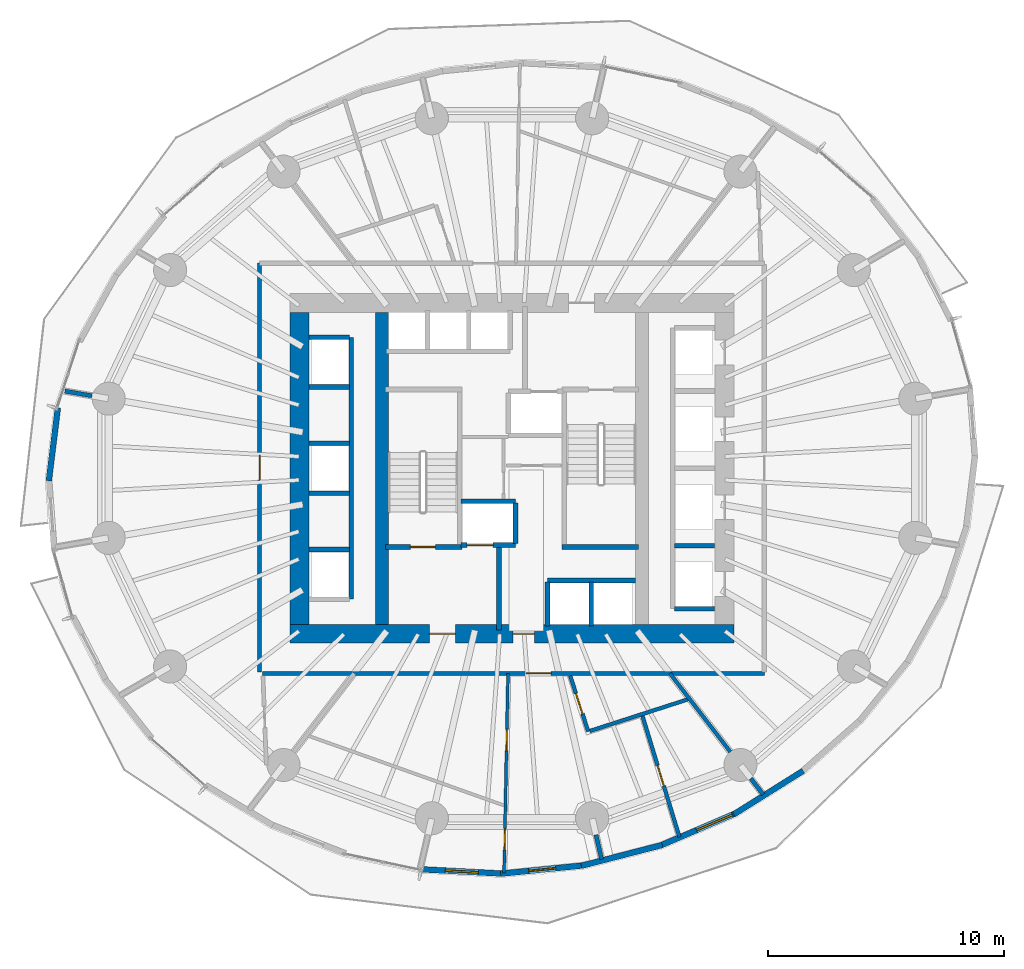
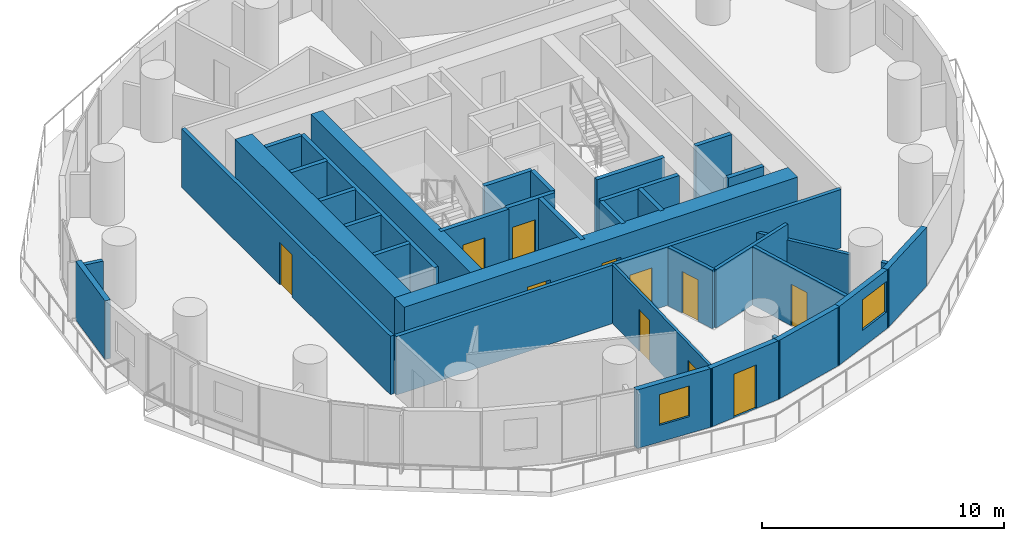
# One storey, part 7 of 14: 36 walls, 11 doors, 2 windows, 13 openings.
"""IFC4 building model written with IfcOpenShell, lengths in metres."""

from ifc_helpers import new_model, si_unit, direction, frame, frame_2d, origin, place, context, subcontext, project, spatial, rectangle, extrude, material, layer, layer_set, type_object, element, fill, save


model = new_model("IFC4")

# Units and contexts
model_context = context("Model", 3, precision=1e-05, world=origin(), true_north=direction((0.0, 1.0)))
body_context = subcontext(model_context, "Body", "Model", "MODEL_VIEW")
ifc_project = project(units=[si_unit("LENGTHUNIT", "METRE"), si_unit("AREAUNIT", "SQUARE_METRE"), si_unit("VOLUMEUNIT", "CUBIC_METRE"), si_unit("PLANEANGLEUNIT", "RADIAN"), si_unit("MASSUNIT", "GRAM", prefix="KILO")], contexts=[model_context])

# Site, building, storey
site_placement = place(None, origin())
site = spatial("IfcSite", under=ifc_project, at=site_placement, CompositionType="ELEMENT")
building_placement = place(site_placement, origin())
building = spatial("IfcBuilding", under=site, at=building_placement, Name="Veldorim Arch Residences", CompositionType="ELEMENT")
storey_placement = place(building_placement, frame((0.0, 0.0, 50.39990234375)))
storey = spatial("IfcBuildingStorey", under=building, at=storey_placement, Name="L14", CompositionType="ELEMENT", Elevation=50.39990234375)

# Wall, openings, doors
ifc_material_1 = material(Name="Acoustic Gypsum Board", Category="gypsum")
ifc_layer_1 = layer(ifc_material_1, 0.125, Name="Acoustic Stud Room Partition Wall 125")
ifc_layer_set_1 = layer_set([ifc_layer_1], Name="Acoustic Gypsum Board")
wall_type_1 = type_object("IfcWallType", Name="Acoustic Stud Room Partition Wall 125", PredefinedType="PARTITIONING", material=ifc_layer_set_1)
wall_1_placement = place(storey_placement, frame((31.665283203125, 6.870361328125, 0.0), z_axis=(0.0, 0.0, 1.0), x_axis=(0.019528202577, 0.99980930647, 0.0)))
wall_1 = element("IfcWall", 1, at=wall_1_placement, inside=storey, type_object=wall_type_1, Name="L14 interior wall WL-RES-L14-008", PredefinedType="PARTITIONING", context=body_context, shape_type="SweptSolid", body=[
    extrude(rectangle(XDim=8.451416015625, YDim=0.125, at=frame_2d((4.2255859375, 0.0))), origin(), (0.0, 0.0, 1.0), 2.955078125),
])
opening_1_placement = place(wall_1_placement, frame((0.981201171875, 0.0, 0.0)))
opening_1 = element("IfcOpeningElement", 2, at=opening_1_placement, cuts=wall_1, Name="Opening DR-INT", PredefinedType="OPENING", context=body_context, shape_type="SweptSolid", body=[
    extrude(rectangle(XDim=0.89990234375, YDim=2.10009765625, at=frame_2d((0.449951171875, 1.050048828125))), frame((0.0, 0.072509765625, 0.0), z_axis=(0.0, -1.0, 0.0), x_axis=(1.0, 0.0, 0.0)), (0.0, 0.0, 1.0), 0.14501953125),
])
opening_2_placement = place(wall_1_placement, frame((5.186279296875, 0.0, 0.0)))
opening_2 = element("IfcOpeningElement", 3, at=opening_2_placement, cuts=wall_1, Name="Opening DR-INT", PredefinedType="OPENING", context=body_context, shape_type="SweptSolid", body=[
    extrude(rectangle(XDim=0.89990234375, YDim=2.10009765625, at=frame_2d((0.449951171875, 1.050048828125))), frame((0.0, 0.072509765625, 0.0), z_axis=(0.0, -1.0, 0.0), x_axis=(1.0, 0.0, 0.0)), (0.0, 0.0, 1.0), 0.14501953125),
])
ifc_material_2 = material(Name="Engineered Timber", Category="wood")
door_type_1 = type_object("IfcDoorType", Name="Apartment Internal Room Timber Door 900x2100", OperationType="SINGLE_SWING_LEFT", PredefinedType="DOOR", material=ifc_material_2)
door_1_placement = place(opening_1_placement, origin())
door_1 = element("IfcDoor", 4, at=door_1_placement, inside=storey, type_object=door_type_1, Name="L14 interior door DR-RES-L14-003", OperationType="SINGLE_SWING_LEFT", OverallHeight=2.10009765625, OverallWidth=0.89990234375, PredefinedType="DOOR", context=body_context, shape_type="SweptSolid", body=[
    extrude(rectangle(XDim=0.89990234375, YDim=2.10009765625, at=frame_2d((0.449951171875, 1.050048828125))), frame((0.0, 0.02490234375, 0.0), z_axis=(0.0, -1.0, 0.0), x_axis=(1.0, 0.0, 0.0)), (0.0, 0.0, 1.0), 0.050048828125),
])
fill(opening_1, door_1)
door_2_placement = place(opening_2_placement, origin())
door_2 = element("IfcDoor", 5, at=door_2_placement, inside=storey, type_object=door_type_1, Name="L14 interior door DR-RES-L14-004", OperationType="SINGLE_SWING_RIGHT", OverallHeight=2.10009765625, OverallWidth=0.89990234375, PredefinedType="DOOR", context=body_context, shape_type="SweptSolid", body=[
    extrude(rectangle(XDim=0.89990234375, YDim=2.10009765625, at=frame_2d((0.449951171875, 1.050048828125))), frame((0.0, 0.02490234375, 0.0), z_axis=(0.0, -1.0, 0.0), x_axis=(1.0, 0.0, 0.0)), (0.0, 0.0, 1.0), 0.050048828125),
])
fill(opening_2, door_2)

# Walls
ifc_material_3 = material(Name="Lightweight Masonry Block & Gypsum", Category="masonry")
ifc_layer_2 = layer(ifc_material_3, 0.179931640625, Name="Compartment & Corridor Fire-Rated Party Wall 180")
ifc_layer_set_2 = layer_set([ifc_layer_2], Name="Lightweight Masonry Block & Gypsum")
wall_type_2 = type_object("IfcWallType", Name="Compartment & Corridor Fire-Rated Party Wall 180", PredefinedType="PARTITIONING", material=ifc_layer_set_2)
wall_2_placement = place(storey_placement, frame((14.224853515625, 27.068359375, 0.0), z_axis=(0.0, 0.0, 1.0), x_axis=(-0.985428537387, 0.170089969436, 0.0)))
element("IfcWall", 6, at=wall_2_placement, inside=storey, type_object=wall_type_2, Name="L14 interior wall WL-PIER-L14-08", PredefinedType="PARTITIONING", context=body_context, shape_type="SweptSolid", body=[
    extrude(rectangle(XDim=1.1611328125, YDim=0.179931640625, at=frame_2d((0.58056640625, 0.0))), origin(), (0.0, 0.0, 1.0), 2.17822265625),
])
wall_3_placement = place(storey_placement, frame((35.555419921875, 8.48828125, 0.0), z_axis=(0.0, 0.0, 1.0), x_axis=(0.223348866575, -0.974738572028, 0.0)))
element("IfcWall", 7, at=wall_3_placement, inside=storey, type_object=wall_type_2, Name="L14 interior wall WL-PIER-L14-13", PredefinedType="PARTITIONING", context=body_context, shape_type="SweptSolid", body=[
    extrude(rectangle(XDim=1.0625, YDim=0.179931640625, at=frame_2d((0.53125, 0.0))), origin(), (0.0, 0.0, 1.0), 2.17822265625),
])
wall_4_placement = place(storey_placement, frame((42.106201171875, 10.874267578125, 0.0), z_axis=(0.0, 0.0, 1.0), x_axis=(0.610124026743, -0.792305920709, 0.0)))
element("IfcWall", 8, at=wall_4_placement, inside=storey, type_object=wall_type_2, Name="L14 interior wall WL-PIER-L14-14", PredefinedType="PARTITIONING", context=body_context, shape_type="SweptSolid", body=[
    extrude(rectangle(XDim=0.856201171875, YDim=0.179931640625, at=frame_2d((0.42822265625, 0.0))), origin(), (0.0, 0.0, 1.0), 2.17822265625),
])

# Wall, opening, door
wall_5_placement = place(storey_placement, frame((42.679931640625, 15.320068359375, 0.0), z_axis=(0.0, 0.0, 1.0), x_axis=(-1.0, 0.0, 0.0)))
wall_5 = element("IfcWall", 9, at=wall_5_placement, inside=storey, type_object=wall_type_2, Name="L14 interior wall WL-RES-L14-001", PredefinedType="PARTITIONING", context=body_context, shape_type="SweptSolid", body=[
    extrude(rectangle(XDim=21.23876953125, YDim=0.179931640625, at=frame_2d((10.619384765625, 0.0))), origin(), (0.0, 0.0, 1.0), 2.955078125),
])
opening_3_placement = place(wall_5_placement, frame((9.02294921875, 0.0, 0.0)))
opening_3 = element("IfcOpeningElement", 10, at=opening_3_placement, cuts=wall_5, Name="Opening DR-FLT", PredefinedType="OPENING", context=body_context, shape_type="SweptSolid", body=[
    extrude(rectangle(XDim=1.050048828125, YDim=2.14990234375, at=frame_2d((0.52490234375, 1.074951171875))), frame((0.0, 0.099853515625, 0.0), z_axis=(0.0, -1.0, 0.0), x_axis=(1.0, 0.0, 0.0)), (0.0, 0.0, 1.0), 0.199951171875),
])
ifc_material_4 = material(Name="Fire-Rated Timber", Category="wood")
door_type_2 = type_object("IfcDoorType", Name="Apartment Entrance Solid-Core Fire Door 1050x2150", OperationType="SINGLE_SWING_LEFT", PredefinedType="DOOR", material=ifc_material_4)
door_3_placement = place(opening_3_placement, origin())
door_3 = element("IfcDoor", 11, at=door_3_placement, inside=storey, type_object=door_type_2, Name="L14 interior door DR-RES-L14-001", OperationType="SINGLE_SWING_LEFT", OverallHeight=2.14990234375, OverallWidth=1.050048828125, PredefinedType="DOOR", context=body_context, shape_type="SweptSolid", body=[
    extrude(rectangle(XDim=1.050048828125, YDim=2.14990234375, at=frame_2d((0.52490234375, 1.074951171875))), frame((0.0, 0.02490234375, 0.0), z_axis=(0.0, -1.0, 0.0), x_axis=(1.0, 0.0, 0.0)), (0.0, 0.0, 1.0), 0.050048828125),
])
fill(opening_3, door_3)

wall_6_placement = place(storey_placement, frame((21.320068359375, 15.3798828125, 0.0), z_axis=(0.0, 0.0, 1.0), x_axis=(0.0, 1.0, 0.0)))
wall_6 = element("IfcWall", 12, at=wall_6_placement, inside=storey, type_object=wall_type_2, Name="L14 interior wall WL-RES-L14-006", PredefinedType="PARTITIONING", context=body_context, shape_type="SweptSolid", body=[
    extrude(rectangle(XDim=17.300048828125, YDim=0.179931640625, at=frame_2d((8.64990234375, 0.0))), origin(), (0.0, 0.0, 1.0), 2.955078125),
])
opening_4_placement = place(wall_6_placement, frame((8.125, 0.0, 0.0)))
opening_4 = element("IfcOpeningElement", 13, at=opening_4_placement, cuts=wall_6, Name="Opening DR-FLT", PredefinedType="OPENING", context=body_context, shape_type="SweptSolid", body=[
    extrude(rectangle(XDim=1.050048828125, YDim=2.14990234375, at=frame_2d((0.52490234375, 1.074951171875))), frame((0.0, 0.099853515625, 0.0), z_axis=(0.0, -1.0, 0.0), x_axis=(1.0, 0.0, 0.0)), (0.0, 0.0, 1.0), 0.199951171875),
])
door_4_placement = place(opening_4_placement, origin())
door_4 = element("IfcDoor", 14, at=door_4_placement, inside=storey, type_object=door_type_2, Name="L14 interior door DR-RES-L14-013", OperationType="SINGLE_SWING_LEFT", OverallHeight=2.14990234375, OverallWidth=1.050048828125, PredefinedType="DOOR", context=body_context, shape_type="SweptSolid", body=[
    extrude(rectangle(XDim=1.050048828125, YDim=2.14990234375, at=frame_2d((0.52490234375, 1.074951171875))), frame((0.0, 0.02490234375, 0.0), z_axis=(0.0, -1.0, 0.0), x_axis=(1.0, 0.0, 0.0)), (0.0, 0.0, 1.0), 0.050048828125),
])
fill(opening_4, door_4)

ifc_material_5 = material(Name="Concrete C50/60", Category="concrete")
ifc_layer_3 = layer(ifc_material_5, 0.199951171875, Name="Core Stair & Lift Shaft Enclosure Wall 200")
ifc_layer_set_3 = layer_set([ifc_layer_3], Name="Concrete C50/60")
wall_type_3 = type_object("IfcWallType", Name="Core Stair & Lift Shaft Enclosure Wall 200", PredefinedType="SHEAR", material=ifc_layer_set_3)
wall_7_placement = place(storey_placement, frame((26.64990234375, 20.669921875, 0.0), z_axis=(0.0, 0.0, 1.0), x_axis=(1.0, 0.0, 0.0)))
wall_7 = element("IfcWall", 15, at=wall_7_placement, inside=storey, type_object=wall_type_3, Name="L14 shaft wall WL-SHF-L14-ST1-S", PredefinedType="SHEAR", context=body_context, shape_type="SweptSolid", body=[
    extrude(rectangle(XDim=3.239990234375, YDim=0.199951171875, at=frame_2d((1.6201171875, 0.0))), origin(), (0.0, 0.0, 1.0), 3.2001953125),
])
opening_5_placement = place(wall_7_placement, frame((1.054931640625, 0.0, 0.0)))
opening_5 = element("IfcOpeningElement", 16, at=opening_5_placement, cuts=wall_7, Name="Opening DR-ST", PredefinedType="OPENING", context=body_context, shape_type="SweptSolid", body=[
    extrude(rectangle(XDim=1.050048828125, YDim=2.14990234375, at=frame_2d((0.52490234375, 1.074951171875))), frame((0.0, 0.10986328125, 0.0), z_axis=(0.0, -1.0, 0.0), x_axis=(1.0, 0.0, 0.0)), (0.0, 0.0, 1.0), 0.219970703125),
])
ifc_material_6 = material(Name="Fire-Rated Steel", Category="steel")
door_type_3 = type_object("IfcDoorType", Name="Exit Staircase Self-Closing Fire Door 1050x2150", OperationType="SINGLE_SWING_LEFT", PredefinedType="DOOR", material=ifc_material_6)
door_5_placement = place(opening_5_placement, origin())
door_5 = element("IfcDoor", 17, at=door_5_placement, inside=storey, type_object=door_type_3, Name="L14 interior door DR-L14-ST1", OperationType="SINGLE_SWING_LEFT", OverallHeight=2.14990234375, OverallWidth=1.050048828125, PredefinedType="DOOR", context=body_context, shape_type="SweptSolid", body=[
    extrude(rectangle(XDim=1.050048828125, YDim=2.14990234375, at=frame_2d((0.52490234375, 1.074951171875))), frame((0.0, 0.02490234375, 0.0), z_axis=(0.0, -1.0, 0.0), x_axis=(1.0, 0.0, 0.0)), (0.0, 0.0, 1.0), 0.050048828125),
])
fill(opening_5, door_5)

# Walls
wall_8_placement = place(storey_placement, frame((34.110107421875, 20.669921875, 0.0), z_axis=(0.0, 0.0, 1.0), x_axis=(1.0, 0.0, 0.0)))
element("IfcWall", 18, at=wall_8_placement, inside=storey, type_object=wall_type_3, Name="L14 shaft wall WL-SHF-L14-ST2-S", PredefinedType="SHEAR", context=body_context, shape_type="SweptSolid", body=[
    extrude(rectangle(XDim=3.239990234375, YDim=0.199951171875, at=frame_2d((1.6201171875, 0.0))), origin(), (0.0, 0.0, 1.0), 3.2001953125),
])
wall_9_placement = place(storey_placement, frame((31.449951171875, 17.14990234375, 0.0), z_axis=(0.0, 0.0, 1.0), x_axis=(0.0, 1.0, 0.0)))
element("IfcWall", 19, at=wall_9_placement, inside=storey, type_object=wall_type_3, Name="L14 shaft wall WL-FFL1-L14-E", PredefinedType="SHEAR", context=body_context, shape_type="SweptSolid", body=[
    extrude(rectangle(XDim=3.5, YDim=0.199951171875, at=frame_2d((1.75, 0.0))), origin(), (0.0, 0.0, 1.0), 3.2001953125),
])

# Wall, opening, door
wall_10_placement = place(storey_placement, frame((29.85009765625, 20.75, 0.0), z_axis=(0.0, 0.0, 1.0), x_axis=(1.0, 0.0, 0.0)))
wall_10 = element("IfcWall", 20, at=wall_10_placement, inside=storey, type_object=wall_type_3, Name="L14 shaft wall WL-FL01-L14-S", PredefinedType="SHEAR", context=body_context, shape_type="SweptSolid", body=[
    extrude(rectangle(XDim=2.2998046875, YDim=0.199951171875, at=frame_2d((1.14990234375, 0.0))), origin(), (0.0, 0.0, 1.0), 3.2001953125),
])
opening_6_placement = place(wall_10_placement, frame((0.25, 0.0, 0.0)))
opening_6 = element("IfcOpeningElement", 21, at=opening_6_placement, cuts=wall_10, Name="Opening LD-FF", PredefinedType="OPENING", context=body_context, shape_type="SweptSolid", body=[
    extrude(rectangle(XDim=1.10009765625, YDim=2.14990234375, at=frame_2d((0.550048828125, 1.074951171875))), frame((0.0, 0.10986328125, 0.0), z_axis=(0.0, -1.0, 0.0), x_axis=(1.0, 0.0, 0.0)), (0.0, 0.0, 1.0), 0.219970703125),
])
ifc_material_7 = material(Name="Stainless Steel", Category="steel")
door_type_4 = type_object("IfcDoorType", Name="Firefighting Lift Bi-Parting Sliding Landing Door 1100x2150", OperationType="DOUBLE_DOOR_SLIDING", PredefinedType="DOOR", material=ifc_material_7)
door_6_placement = place(opening_6_placement, origin())
door_6 = element("IfcDoor", 22, at=door_6_placement, inside=storey, type_object=door_type_4, Name="L14 lift landing door LD-L14-FL01", OperationType="DOUBLE_DOOR_SLIDING", OverallHeight=2.14990234375, OverallWidth=1.10009765625, PredefinedType="DOOR", context=body_context, shape_type="SweptSolid", body=[
    extrude(rectangle(XDim=1.10009765625, YDim=2.14990234375, at=frame_2d((0.550048828125, 1.074951171875))), frame((0.0, 0.02490234375, 0.0), z_axis=(0.0, -1.0, 0.0), x_axis=(1.0, 0.0, 0.0)), (0.0, 0.0, 1.0), 0.050048828125),
])
fill(opening_6, door_6)

# Walls
wall_11_placement = place(storey_placement, frame((29.85009765625, 22.60009765625, 0.0), z_axis=(0.0, 0.0, 1.0), x_axis=(1.0, 0.0, 0.0)))
element("IfcWall", 23, at=wall_11_placement, inside=storey, type_object=wall_type_3, Name="L14 shaft wall WL-FL01-L14-N", PredefinedType="SHEAR", context=body_context, shape_type="SweptSolid", body=[
    extrude(rectangle(XDim=2.2998046875, YDim=0.199951171875, at=frame_2d((1.14990234375, 0.0))), origin(), (0.0, 0.0, 1.0), 3.2001953125),
])
for number, where, z_axis, x_axis, name in (
    (24, (32.14990234375, 20.820068359375, 0.0), (0.0, 0.0, 1.0), (0.0, 1.0, 0.0), "L14 shaft wall WL-FL01-L14-E"),
    (25, (38.8701171875, 18.06005859375, 0.0), (0.0, 0.0, 1.0), (1.0, 0.0, 0.0), "L14 shaft wall WL-B1-L14-S"),
    (26, (38.8701171875, 20.72509765625, 0.0), (0.0, 0.0, 1.0), (1.0, 0.0, 0.0), "L14 shaft wall WL-B1-L14-D1"),
):
    element("IfcWall", number, at=place(storey_placement, frame(where, z_axis=z_axis, x_axis=x_axis)), inside=storey, type_object=wall_type_3, Name=name, PredefinedType="SHEAR", context=body_context, shape_type="SweptSolid", body=[
        extrude(rectangle(XDim=1.7099609375, YDim=0.199951171875, at=frame_2d((0.85498046875, 0.0))), origin(), (0.0, 0.0, 1.0), 3.2001953125),
    ])
wall_12_placement = place(storey_placement, frame((25.199951171875, 18.4599609375, 0.0), z_axis=(0.0, 0.0, 1.0), x_axis=(0.0, 1.0, 0.0)))
element("IfcWall", 27, at=wall_12_placement, inside=storey, type_object=wall_type_3, Name="L14 shaft wall WL-B2-L14-E", PredefinedType="SHEAR", context=body_context, shape_type="SweptSolid", body=[
    extrude(rectangle(XDim=11.080078125, YDim=0.199951171875, at=frame_2d((5.5400390625, 0.0))), origin(), (0.0, 0.0, 1.0), 3.2001953125),
])
for number, where, z_axis, x_axis, name in (
    (28, (23.419921875, 29.5400390625, 0.0), (0.0, 0.0, 1.0), (1.0, 0.0, 0.0), "L14 shaft wall WL-B2-L14-N"),
    (29, (23.419921875, 20.56005859375, 0.0), (0.0, 0.0, 1.0), (1.0, 0.0, 0.0), "L14 shaft wall WL-B2-L14-D1A"),
    (30, (23.419921875, 22.93994140625, 0.0), (0.0, 0.0, 1.0), (1.0, 0.0, 0.0), "L14 shaft wall WL-B2-L14-D1B"),
    (31, (23.419921875, 25.06005859375, 0.0), (0.0, 0.0, 1.0), (1.0, 0.0, 0.0), "L14 shaft wall WL-B2-L14-D2A"),
    (32, (23.419921875, 27.43994140625, 0.0), (0.0, 0.0, 1.0), (1.0, 0.0, 0.0), "L14 shaft wall WL-B2-L14-D2B"),
):
    element("IfcWall", number, at=place(storey_placement, frame(where, z_axis=z_axis, x_axis=x_axis)), inside=storey, type_object=wall_type_3, Name=name, PredefinedType="SHEAR", context=body_context, shape_type="SweptSolid", body=[
        extrude(rectangle(XDim=1.7099609375, YDim=0.199951171875, at=frame_2d((0.85498046875, 0.0))), origin(), (0.0, 0.0, 1.0), 3.2001953125),
    ])
wall_13_placement = place(storey_placement, frame((33.5, 19.25, 0.0), z_axis=(0.0, 0.0, 1.0), x_axis=(1.0, 0.0, 0.0)))
element("IfcWall", 33, at=wall_13_placement, inside=storey, type_object=wall_type_3, Name="L14 shaft wall WL-OL-L14-N", PredefinedType="SHEAR", context=body_context, shape_type="SweptSolid", body=[
    extrude(rectangle(XDim=3.719970703125, YDim=0.199951171875, at=frame_2d((1.85986328125, 0.0))), origin(), (0.0, 0.0, 1.0), 3.2001953125),
])
for number, where, z_axis, x_axis, name in (
    (34, (33.5, 17.320068359375, 0.0), (0.0, 0.0, 1.0), (0.0, 1.0, 0.0), "L14 shaft wall WL-OL-L14-W"),
    (35, (35.35009765625, 17.320068359375, 0.0), (0.0, 0.0, 1.0), (0.0, 1.0, 0.0), "L14 shaft wall WL-OL-L14-D1"),
):
    element("IfcWall", number, at=place(storey_placement, frame(where, z_axis=z_axis, x_axis=x_axis)), inside=storey, type_object=wall_type_3, Name=name, PredefinedType="SHEAR", context=body_context, shape_type="SweptSolid", body=[
        extrude(rectangle(XDim=1.85986328125, YDim=0.199951171875, at=frame_2d((0.929931640625, 0.0))), origin(), (0.0, 0.0, 1.0), 3.2001953125),
    ])
ifc_material_8 = material(Name="Concrete C60/75", Category="concrete")
ifc_layer_4 = layer(ifc_material_8, 0.56005859375, Name="Internal Core Shear Web Wall 560")
ifc_layer_set_4 = layer_set([ifc_layer_4], Name="Concrete C60/75")
wall_type_4 = type_object("IfcWallType", Name="Internal Core Shear Web Wall 560", PredefinedType="SHEAR", material=ifc_layer_set_4)
wall_14_placement = place(storey_placement, frame((26.5, 17.39990234375, 0.0), z_axis=(0.0, 0.0, 1.0), x_axis=(0.0, 1.0, 0.0)))
element("IfcWall", 36, at=wall_14_placement, inside=storey, type_object=wall_type_4, Name="L14 core west internal shear web", PredefinedType="SHEAR", context=body_context, shape_type="SweptSolid", body=[
    extrude(rectangle(XDim=13.2001953125, YDim=0.56005859375, at=frame_2d((6.60009765625, 0.0))), origin(), (0.0, 0.0, 1.0), 3.2001953125),
])

# Wall, openings, doors
ifc_material_9 = material(Name="Concrete C60/75", Category="concrete")
ifc_layer_5 = layer(ifc_material_9, 0.800048828125, Name="Lower Central Core Shear Wall 800")
ifc_layer_set_5 = layer_set([ifc_layer_5], Name="Concrete C60/75")
wall_type_5 = type_object("IfcWallType", Name="Lower Central Core Shear Wall 800", PredefinedType="SHEAR", material=ifc_layer_set_5)
wall_15_placement = place(storey_placement, frame((22.60009765625, 17.0, 0.0), z_axis=(0.0, 0.0, 1.0), x_axis=(1.0, 0.0, 0.0)))
wall_15 = element("IfcWall", 37, at=wall_15_placement, inside=storey, type_object=wall_type_5, Name="L14 central core south shear wall", PredefinedType="SHEAR", context=body_context, shape_type="SweptSolid", body=[
    extrude(rectangle(XDim=18.7998046875, YDim=0.800048828125, at=frame_2d((9.39990234375, 0.0))), origin(), (0.0, 0.0, 1.0), 3.2001953125),
])
opening_7_placement = place(wall_15_placement, frame((5.89990234375, 0.0, 0.0)))
opening_7 = element("IfcOpeningElement", 38, at=opening_7_placement, cuts=wall_15, Name="Opening DR-FFL", PredefinedType="OPENING", context=body_context, shape_type="SweptSolid", body=[
    extrude(rectangle(XDim=1.10009765625, YDim=2.14990234375, at=frame_2d((0.550048828125, 1.074951171875))), frame((0.0, 0.409912109375, 0.0), z_axis=(0.0, -1.0, 0.0), x_axis=(1.0, 0.0, 0.0)), (0.0, 0.0, 1.0), 0.820068359375),
])
opening_8_placement = place(wall_15_placement, frame((9.449951171875, 0.0, 0.0)))
opening_8 = element("IfcOpeningElement", 39, at=opening_8_placement, cuts=wall_15, Name="Opening DR-SVC", PredefinedType="OPENING", context=body_context, shape_type="SweptSolid", body=[
    extrude(rectangle(XDim=0.89990234375, YDim=2.10009765625, at=frame_2d((0.449951171875, 1.050048828125))), frame((0.0, 0.409912109375, 0.0), z_axis=(0.0, -1.0, 0.0), x_axis=(1.0, 0.0, 0.0)), (0.0, 0.0, 1.0), 0.820068359375),
])
ifc_material_10 = material(Name="Fire-Rated Steel & Vision Glass", Category="steel")
door_type_5 = type_object("IfcDoorType", Name="Firefighting Lobby Smoke-Stop Fire Door 1100x2150", OperationType="SINGLE_SWING_LEFT", PredefinedType="DOOR", material=ifc_material_10)
door_7_placement = place(opening_7_placement, origin())
door_7 = element("IfcDoor", 40, at=door_7_placement, inside=storey, type_object=door_type_5, Name="L14 interior door DR-L14-FFL1", OperationType="SINGLE_SWING_RIGHT", OverallHeight=2.14990234375, OverallWidth=1.10009765625, PredefinedType="DOOR", context=body_context, shape_type="SweptSolid", body=[
    extrude(rectangle(XDim=1.10009765625, YDim=2.14990234375, at=frame_2d((0.550048828125, 1.074951171875))), frame((0.0, 0.02490234375, 0.0), z_axis=(0.0, -1.0, 0.0), x_axis=(1.0, 0.0, 0.0)), (0.0, 0.0, 1.0), 0.050048828125),
])
fill(opening_7, door_7)
ifc_material_11 = material(Name="Fire-Rated Steel", Category="steel")
door_type_6 = type_object("IfcDoorType", Name="Riser, Shelter & Plant Room Rated Steel Door 900x2100", OperationType="SINGLE_SWING_LEFT", PredefinedType="DOOR", material=ifc_material_11)
door_8_placement = place(opening_8_placement, origin())
door_8 = element("IfcDoor", 41, at=door_8_placement, inside=storey, type_object=door_type_6, Name="L14 interior door DR-L14-COR-ANC", OperationType="SINGLE_SWING_LEFT", OverallHeight=2.10009765625, OverallWidth=0.89990234375, PredefinedType="DOOR", context=body_context, shape_type="SweptSolid", body=[
    extrude(rectangle(XDim=0.89990234375, YDim=2.10009765625, at=frame_2d((0.449951171875, 1.050048828125))), frame((0.0, 0.02490234375, 0.0), z_axis=(0.0, -1.0, 0.0), x_axis=(1.0, 0.0, 0.0)), (0.0, 0.0, 1.0), 0.050048828125),
])
fill(opening_8, door_8)

# Walls
wall_16_placement = place(storey_placement, frame((23.0, 17.39990234375, 0.0), z_axis=(0.0, 0.0, 1.0), x_axis=(0.0, 1.0, 0.0)))
element("IfcWall", 42, at=wall_16_placement, inside=storey, type_object=wall_type_5, Name="L14 central core west shear wall", PredefinedType="SHEAR", context=body_context, shape_type="SweptSolid", body=[
    extrude(rectangle(XDim=13.2001953125, YDim=0.800048828125, at=frame_2d((6.60009765625, 0.0))), origin(), (0.0, 0.0, 1.0), 3.2001953125),
])
ifc_material_12 = material(Name="Precast concrete C40/50", Category="concrete")
ifc_layer_6 = layer(ifc_material_12, 0.25, Name="Tower Terracotta Spandrel & Pier Wall 250")
ifc_layer_set_6 = layer_set([ifc_layer_6], Name="Precast concrete C40/50")
wall_type_6 = type_object("IfcWallType", Name="Tower Terracotta Spandrel & Pier Wall 250", PredefinedType="SOLIDWALL", material=ifc_layer_set_6)
wall_17_placement = place(storey_placement, frame((12.3974609375, 23.4677734375, 0.0), z_axis=(0.0, 0.0, 1.0), x_axis=(0.122985115192, 0.992408515401, 0.0)))
element("IfcWall", 43, at=wall_17_placement, inside=storey, type_object=wall_type_6, Name="L14 terracotta facade wall 17", PredefinedType="SOLIDWALL", context=body_context, shape_type="SweptSolid", body=[
    extrude(rectangle(XDim=3.12060546875, YDim=0.25, at=frame_2d((1.560302734375, 0.0))), origin(), (0.0, 0.0, 1.0), 2.960205078125),
])

# Wall, opening, window
wall_18_placement = place(storey_placement, frame((31.631103515625, 6.843505859375, 0.0), z_axis=(0.0, 0.0, 1.0), x_axis=(-0.99860782827, 0.052748510102, 0.0)))
wall_18 = element("IfcWall", 44, at=wall_18_placement, inside=storey, type_object=wall_type_6, Name="L14 terracotta facade wall 26", PredefinedType="SOLIDWALL", context=body_context, shape_type="SweptSolid", body=[
    extrude(rectangle(XDim=3.512939453125, YDim=0.25, at=frame_2d((1.75634765625, 0.0))), origin(), (0.0, 0.0, 1.0), 2.960205078125),
])
opening_9_placement = place(wall_18_placement, frame((1.055908203125, 0.0, 0.85009765625)))
opening_9 = element("IfcOpeningElement", 45, at=opening_9_placement, cuts=wall_18, Name="Opening WN-02", PredefinedType="OPENING", context=body_context, shape_type="SweptSolid", body=[
    extrude(rectangle(XDim=1.39990234375, YDim=1.550048828125, at=frame_2d((0.699951171875, 0.77490234375))), frame((0.0, 0.135009765625, 0.0), z_axis=(0.0, -1.0, 0.0), x_axis=(1.0, 0.0, 0.0)), (0.0, 0.0, 1.0), 0.27001953125),
])
ifc_material_13 = material(Name="Laminated Low-E Glass", Category="glass")
window_type_1 = type_object("IfcWindowType", Name="Residential Casement Window 1400x1550", PartitioningType="SINGLE_PANEL", PredefinedType="WINDOW", material=ifc_material_13)
window_1_placement = place(opening_9_placement, origin())
window_1 = element("IfcWindow", 46, at=window_1_placement, inside=storey, type_object=window_type_1, Name="L14 solar-control facade window 26", OverallHeight=1.550048828125, OverallWidth=1.39990234375, PartitioningType="SINGLE_PANEL", PredefinedType="WINDOW", context=body_context, shape_type="SweptSolid", body=[
    extrude(rectangle(XDim=1.39990234375, YDim=1.550048828125, at=frame_2d((0.699951171875, 0.77490234375))), frame((0.0, 0.030029296875, 0.0), z_axis=(0.0, -1.0, 0.0), x_axis=(1.0, 0.0, 0.0)), (0.0, 0.0, 1.0), 0.06005859375),
])
fill(opening_9, window_1)

# Wall, opening, door
wall_19_placement = place(storey_placement, frame((35.042724609375, 7.1943359375, 0.0), z_axis=(0.0, 0.0, 1.0), x_axis=(-0.994996115016, -0.099913618207, 0.0)))
wall_19 = element("IfcWall", 47, at=wall_19_placement, inside=storey, type_object=wall_type_6, Name="L14 terracotta facade wall 27", PredefinedType="SOLIDWALL", context=body_context, shape_type="SweptSolid", body=[
    extrude(rectangle(XDim=3.538330078125, YDim=0.25, at=frame_2d((1.76904296875, 0.0))), origin(), (0.0, 0.0, 1.0), 2.960205078125),
])
opening_10_placement = place(wall_19_placement, frame((1.194091796875, 0.0, 0.0)))
opening_10 = element("IfcOpeningElement", 48, at=opening_10_placement, cuts=wall_19, Name="Opening BL-DR", PredefinedType="OPENING", context=body_context, shape_type="SweptSolid", body=[
    extrude(rectangle(XDim=1.14990234375, YDim=2.199951171875, at=frame_2d((0.574951171875, 1.10009765625))), frame((0.0, 0.135009765625, 0.0), z_axis=(0.0, -1.0, 0.0), x_axis=(1.0, 0.0, 0.0)), (0.0, 0.0, 1.0), 0.27001953125),
])
ifc_material_14 = material(Name="Aluminium & Low-E Glass", Category="aluminium")
door_type_7 = type_object("IfcDoorType", Name="Glazed Planted Balcony Door 1150x2200", OperationType="SINGLE_SWING_LEFT", PredefinedType="DOOR", material=ifc_material_14)
door_9_placement = place(opening_10_placement, origin())
door_9 = element("IfcDoor", 49, at=door_9_placement, inside=storey, type_object=door_type_7, Name="L14 glazed outdoor terrace door BALC-2", OperationType="SINGLE_SWING_LEFT", OverallHeight=2.199951171875, OverallWidth=1.14990234375, PredefinedType="DOOR", context=body_context, shape_type="SweptSolid", body=[
    extrude(rectangle(XDim=1.14990234375, YDim=2.199951171875, at=frame_2d((0.574951171875, 1.10009765625))), frame((0.0, 0.02490234375, 0.0), z_axis=(0.0, -1.0, 0.0), x_axis=(1.0, 0.0, 0.0)), (0.0, 0.0, 1.0), 0.050048828125),
])
fill(opening_10, door_9)

# Wall
wall_20_placement = place(storey_placement, frame((38.3623046875, 8.056884765625, 0.0), z_axis=(0.0, 0.0, 1.0), x_axis=(-0.968459637573, -0.249170484594, 0.0)))
element("IfcWall", 50, at=wall_20_placement, inside=storey, type_object=wall_type_6, Name="L14 terracotta facade wall 28", PredefinedType="SOLIDWALL", context=body_context, shape_type="SweptSolid", body=[
    extrude(rectangle(XDim=3.5380859375, YDim=0.25, at=frame_2d((1.76904296875, 0.0))), origin(), (0.0, 0.0, 1.0), 2.960205078125),
])

# Wall, opening, window
wall_21_placement = place(storey_placement, frame((41.488525390625, 9.404541015625, 0.0), z_axis=(0.0, 0.0, 1.0), x_axis=(-0.919263615987, -0.393642482872, 0.0)))
wall_21 = element("IfcWall", 51, at=wall_21_placement, inside=storey, type_object=wall_type_6, Name="L14 terracotta facade wall 29", PredefinedType="SOLIDWALL", context=body_context, shape_type="SweptSolid", body=[
    extrude(rectangle(XDim=3.512939453125, YDim=0.25, at=frame_2d((1.75634765625, 0.0))), origin(), (0.0, 0.0, 1.0), 2.960205078125),
])
opening_11_placement = place(wall_21_placement, frame((0.175048828125, 0.0, 0.85009765625)))
opening_11 = element("IfcOpeningElement", 52, at=opening_11_placement, cuts=wall_21, Name="Opening WN-03", PredefinedType="OPENING", context=body_context, shape_type="SweptSolid", body=[
    extrude(rectangle(XDim=1.64990234375, YDim=1.550048828125, at=frame_2d((0.824951171875, 0.77490234375))), frame((0.0, 0.135009765625, 0.0), z_axis=(0.0, -1.0, 0.0), x_axis=(1.0, 0.0, 0.0)), (0.0, 0.0, 1.0), 0.27001953125),
])
ifc_material_15 = material(Name="Laminated Low-E Glass", Category="glass")
window_type_2 = type_object("IfcWindowType", Name="Residential Wide Window 1650x1550", PartitioningType="SINGLE_PANEL", PredefinedType="WINDOW", material=ifc_material_15)
window_2_placement = place(opening_11_placement, origin())
window_2 = element("IfcWindow", 53, at=window_2_placement, inside=storey, type_object=window_type_2, Name="L14 solar-control facade window 29", OverallHeight=1.550048828125, OverallWidth=1.64990234375, PartitioningType="SINGLE_PANEL", PredefinedType="WINDOW", context=body_context, shape_type="SweptSolid", body=[
    extrude(rectangle(XDim=1.64990234375, YDim=1.550048828125, at=frame_2d((0.824951171875, 0.77490234375))), frame((0.0, 0.030029296875, 0.0), z_axis=(0.0, -1.0, 0.0), x_axis=(1.0, 0.0, 0.0)), (0.0, 0.0, 1.0), 0.06005859375),
])
fill(opening_11, window_2)

# Wall
wall_22_placement = place(storey_placement, frame((44.325927734375, 11.19677734375, 0.0), z_axis=(0.0, 0.0, 1.0), x_axis=(-0.846852351865, -0.531828068215, 0.0)))
element("IfcWall", 54, at=wall_22_placement, inside=storey, type_object=wall_type_6, Name="L14 terracotta facade wall 30", PredefinedType="SOLIDWALL", context=body_context, shape_type="SweptSolid", body=[
    extrude(rectangle(XDim=3.465087890625, YDim=0.25, at=frame_2d((1.732421875, 0.0))), origin(), (0.0, 0.0, 1.0), 2.960205078125),
])

# Wall, opening, door
ifc_material_16 = material(Name="Moisture-Resistant Gypsum & Stud", Category="gypsum")
ifc_layer_7 = layer(ifc_material_16, 0.159912109375, Name="Wet-Area Moisture-Resistant Plumbing Wall 160")
ifc_layer_set_7 = layer_set([ifc_layer_7], Name="Moisture-Resistant Gypsum & Stud")
wall_type_7 = type_object("IfcWallType", Name="Wet-Area Moisture-Resistant Plumbing Wall 160", PredefinedType="PLUMBINGWALL", material=ifc_layer_set_7)
wall_23_placement = place(storey_placement, frame((37.49951171875, 13.593994140625, 0.0), z_axis=(0.0, 0.0, 1.0), x_axis=(0.292167210162, -0.956367252318, 0.0)))
wall_23 = element("IfcWall", 55, at=wall_23_placement, inside=storey, type_object=wall_type_7, Name="L14 interior wall WL-RES-L14-007", PredefinedType="PLUMBINGWALL", context=body_context, shape_type="SweptSolid", body=[
    extrude(rectangle(XDim=5.438232421875, YDim=0.159912109375, at=frame_2d((2.71923828125, 0.0))), origin(), (0.0, 0.0, 1.0), 2.955078125),
])
opening_12_placement = place(wall_23_placement, frame((2.26904296875, 0.0, 0.0)))
opening_12 = element("IfcOpeningElement", 56, at=opening_12_placement, cuts=wall_23, Name="Opening DR-WC", PredefinedType="OPENING", context=body_context, shape_type="SweptSolid", body=[
    extrude(rectangle(XDim=0.89990234375, YDim=2.10009765625, at=frame_2d((0.449951171875, 1.050048828125))), frame((0.0, 0.08984375, 0.0), z_axis=(0.0, -1.0, 0.0), x_axis=(1.0, 0.0, 0.0)), (0.0, 0.0, 1.0), 0.179931640625),
])
ifc_material_17 = material(Name="Laminate Timber", Category="wood")
door_type_8 = type_object("IfcDoorType", Name="Bathroom & Accessible WC Moisture-Sealed Door 900x2100", OperationType="SINGLE_SWING_LEFT", PredefinedType="DOOR", material=ifc_material_17)
door_10_placement = place(opening_12_placement, origin())
door_10 = element("IfcDoor", 57, at=door_10_placement, inside=storey, type_object=door_type_8, Name="L14 interior door DR-RES-L14-002", OperationType="SINGLE_SWING_RIGHT", OverallHeight=2.10009765625, OverallWidth=0.89990234375, PredefinedType="DOOR", context=body_context, shape_type="SweptSolid", body=[
    extrude(rectangle(XDim=0.89990234375, YDim=2.10009765625, at=frame_2d((0.449951171875, 1.050048828125))), frame((0.0, 0.02490234375, 0.0), z_axis=(0.0, -1.0, 0.0), x_axis=(1.0, 0.0, 0.0)), (0.0, 0.0, 1.0), 0.050048828125),
])
fill(opening_12, door_10)

wall_24_placement = place(storey_placement, frame((34.46337890625, 15.224853515625, 0.0), z_axis=(0.0, 0.0, 1.0), x_axis=(0.307163549255, -0.951656741693, 0.0)))
wall_24 = element("IfcWall", 58, at=wall_24_placement, inside=storey, type_object=wall_type_7, Name="L14 interior wall WL-RES-L14-009", PredefinedType="PLUMBINGWALL", context=body_context, shape_type="SweptSolid", body=[
    extrude(rectangle(XDim=2.484619140625, YDim=0.159912109375, at=frame_2d((1.2421875, 0.0))), origin(), (0.0, 0.0, 1.0), 2.955078125),
])
opening_13_placement = place(wall_24_placement, frame((0.792236328125, 0.0, 0.0)))
opening_13 = element("IfcOpeningElement", 59, at=opening_13_placement, cuts=wall_24, Name="Opening DR-INT", PredefinedType="OPENING", context=body_context, shape_type="SweptSolid", body=[
    extrude(rectangle(XDim=0.89990234375, YDim=2.10009765625, at=frame_2d((0.449951171875, 1.050048828125))), frame((0.0, 0.08984375, 0.0), z_axis=(0.0, -1.0, 0.0), x_axis=(1.0, 0.0, 0.0)), (0.0, 0.0, 1.0), 0.179931640625),
])
door_11_placement = place(opening_13_placement, origin())
door_11 = element("IfcDoor", 60, at=door_11_placement, inside=storey, type_object=door_type_1, Name="L14 interior door DR-RES-L14-005", OperationType="SINGLE_SWING_LEFT", OverallHeight=2.10009765625, OverallWidth=0.89990234375, PredefinedType="DOOR", context=body_context, shape_type="SweptSolid", body=[
    extrude(rectangle(XDim=0.89990234375, YDim=2.10009765625, at=frame_2d((0.449951171875, 1.050048828125))), frame((0.0, 0.02490234375, 0.0), z_axis=(0.0, -1.0, 0.0), x_axis=(1.0, 0.0, 0.0)), (0.0, 0.0, 1.0), 0.050048828125),
])
fill(opening_13, door_11)

# Walls
wall_25_placement = place(storey_placement, frame((35.28369140625, 12.878662109375, 0.0), z_axis=(0.0, 0.0, 1.0), x_axis=(0.951640751353, 0.307213086253, 0.0)))
element("IfcWall", 61, at=wall_25_placement, inside=storey, type_object=wall_type_7, Name="L14 interior wall WL-RES-L14-010", PredefinedType="PLUMBINGWALL", context=body_context, shape_type="SweptSolid", body=[
    extrude(rectangle(XDim=4.443115234375, YDim=0.159912109375, at=frame_2d((2.2216796875, 0.0))), origin(), (0.0, 0.0, 1.0), 2.955078125),
])
wall_26_placement = place(storey_placement, frame((38.68310546875, 15.320068359375, 0.0), z_axis=(0.0, 0.0, 1.0), x_axis=(0.610070932863, -0.792346803411, 0.0)))
element("IfcWall", 62, at=wall_26_placement, inside=storey, type_object=wall_type_7, Name="L14 interior wall WL-RES-L14-011", PredefinedType="PLUMBINGWALL", context=body_context, shape_type="SweptSolid", body=[
    extrude(rectangle(XDim=4.1923828125, YDim=0.159912109375, at=frame_2d((2.09619140625, 0.0))), origin(), (0.0, 0.0, 1.0), 2.17822265625),
])

save(model, "model.ifc")
